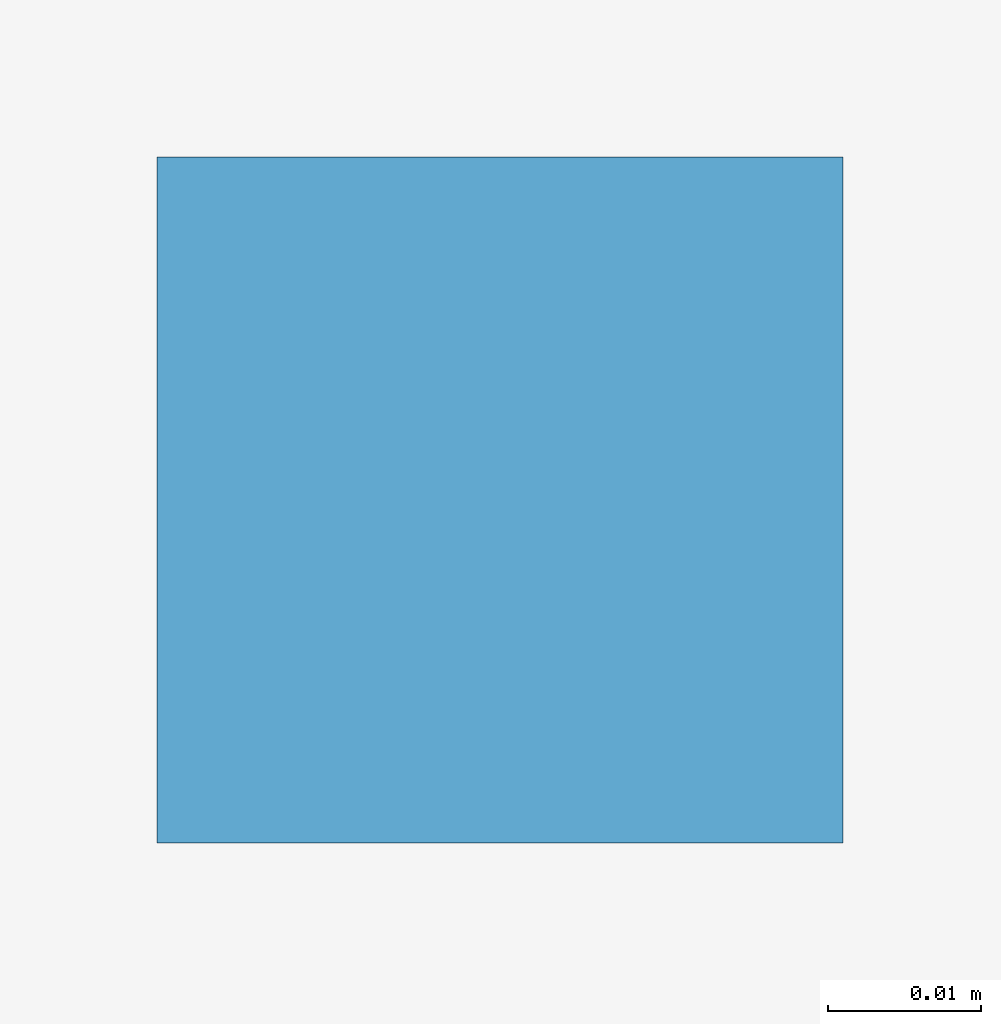
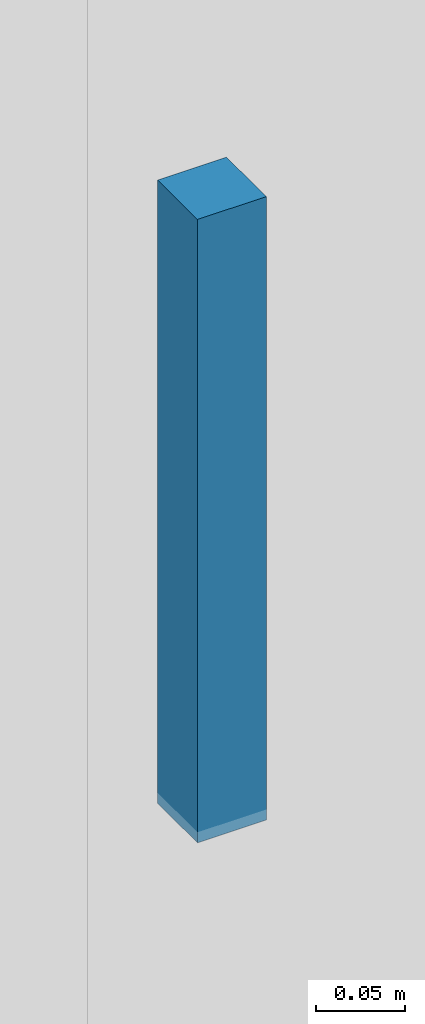
# One storey, part 71 of 95: 1 discrete accessory.
"""IFC4 building model written with IfcOpenShell, lengths in metres."""

from ifc_helpers import new_model, si_unit, derived_unit, direction, frame, origin, origin_2d, place, context, subcontext, project, spatial, rectangle, extrude, material, type_object, element, save


model = new_model("IFC4")

# Units and contexts
model_context = context("Model", 3, precision=1e-05, world=origin(), true_north=direction((0.0, 1.0)))
body_context = subcontext(model_context, "Body", "Model", "MODEL_VIEW")
ifc_project = project(units=[si_unit("LENGTHUNIT", "METRE"), si_unit("AREAUNIT", "SQUARE_METRE"), si_unit("VOLUMEUNIT", "CUBIC_METRE"), si_unit("PLANEANGLEUNIT", "RADIAN"), si_unit("MASSUNIT", "GRAM", prefix="KILO"), derived_unit("THERMALTRANSMITTANCEUNIT", [(si_unit("POWERUNIT", "WATT"), 1), (si_unit("LENGTHUNIT", "METRE"), -2), (si_unit("THERMODYNAMICTEMPERATUREUNIT", "KELVIN"), -1)])], contexts=[model_context])

# Site, building, storey
site_placement = place(None, origin())
site = spatial("IfcSite", under=ifc_project, at=site_placement, CompositionType="ELEMENT")
building_placement = place(site_placement, origin())
building = spatial("IfcBuilding", under=site, at=building_placement, Name="Braskholm Square Health Centre", CompositionType="ELEMENT")
storey_placement = place(building_placement, frame((0.0, 0.0, 4.800048828125)))
storey = spatial("IfcBuildingStorey", under=building, at=storey_placement, Name="L02", CompositionType="ELEMENT", Elevation=4.800048828125)

# Discrete accessory
ifc_material = material(Name="Steel ASTM A500 Grade C", Category="steel")
discrete_accessory_type = type_object("IfcDiscreteAccessoryType", Name="CeilingSuspensionBracket", PredefinedType="BRACKET", material=ifc_material)
discrete_accessory_placement = place(storey_placement, frame((18.31494140625, 97.97509765625, 3.7822265625), z_axis=(0.0, 0.0, 1.0), x_axis=(1.0, 0.0, 0.0)))
element("IfcDiscreteAccessory", 1, at=discrete_accessory_placement, inside=storey, type_object=discrete_accessory_type, Name="Ceiling hanger bracket 0040", PredefinedType="BRACKET", context=body_context, shape_type="SweptSolid", body=[
    extrude(rectangle(XDim=0.044921875, YDim=0.044921875, at=origin_2d()), origin(), (0.0, 0.0, 1.0), 0.429931640625),
])

save(model, "model.ifc")
